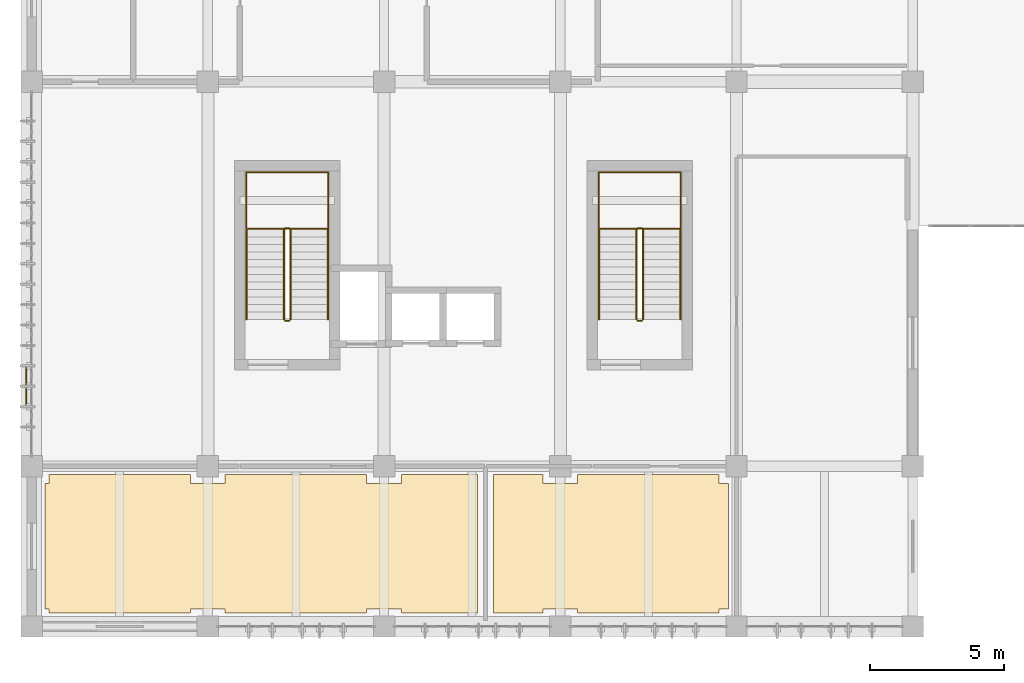
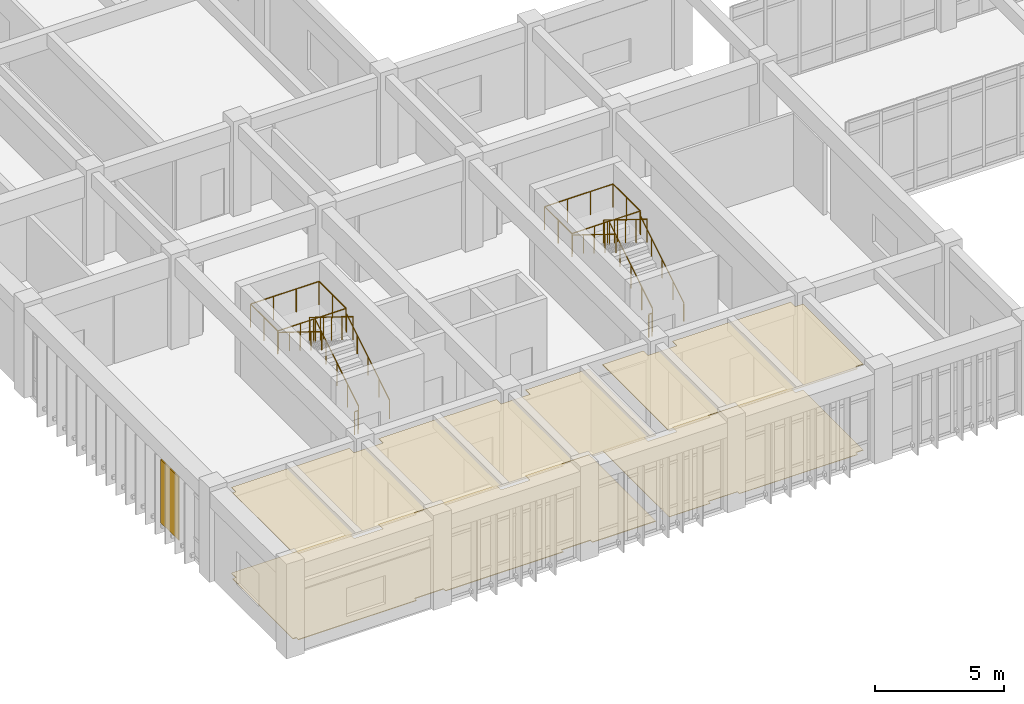
# One storey, part 50 of 54: 16 railings, 5 coverings.
"""IFC4 building model written with IfcOpenShell, lengths in metres."""

from ifc_helpers import new_model, si_unit, direction, frame, origin, origin_2d, place, context, subcontext, project, spatial, polyline, rectangle, circle, outline, extrude, material, layer, layer_set, type_object, element, save


model = new_model("IFC4")

# Units and contexts
model_context = context("Model", 3, precision=1e-05, world=origin(), true_north=direction((0.0, 1.0)))
body_context = subcontext(model_context, "Body", "Model", "MODEL_VIEW")
ifc_project = project(units=[si_unit("LENGTHUNIT", "METRE"), si_unit("AREAUNIT", "SQUARE_METRE"), si_unit("VOLUMEUNIT", "CUBIC_METRE"), si_unit("PLANEANGLEUNIT", "RADIAN"), si_unit("MASSUNIT", "GRAM", prefix="KILO")], contexts=[model_context])

# Site, building, storey
site_placement = place(None, origin())
site = spatial("IfcSite", under=ifc_project, at=site_placement, CompositionType="ELEMENT")
building_placement = place(site_placement, origin())
building = spatial("IfcBuilding", under=site, at=building_placement, Name="Miralva Faculty of Natural Sciences", CompositionType="ELEMENT")
storey_placement = place(building_placement, frame((0.0, 0.0, 19.5)))
storey = spatial("IfcBuildingStorey", under=building, at=storey_placement, Name="L04", CompositionType="ELEMENT", Elevation=19.5)

# Coverings
ifc_material_1 = material(Name="Volcanic tuff architectural stone", Category="masonry")
ifc_layer_1 = layer(ifc_material_1, 0.044921875, Name="COV-CD01")
ifc_layer_set_1 = layer_set([ifc_layer_1], Name="Volcanic tuff architectural stone")
covering_type_1 = type_object("IfcCoveringType", Name="COV-CD01", PredefinedType="CLADDING", material=ifc_layer_set_1)
covering_1_placement = place(storey_placement, frame((2.800048828125, 12.0, 0.300048828125), z_axis=(0.0, 0.0, 1.0), x_axis=(1.0, 0.0, 0.0)))
element("IfcCovering", 1, at=covering_1_placement, inside=storey, type_object=covering_type_1, Name="Volcanic tuff stone corner fascia cladding L04", PredefinedType="CLADDING", context=body_context, shape_type="SweptSolid", body=[
    extrude(rectangle(XDim=0.044921875, YDim=1.39990234375, at=origin_2d()), origin(), (0.0, 0.0, 1.0), 3.0),
])
ifc_material_2 = material(Name="Acoustic mineral-fibre board")
ifc_layer_2 = layer(ifc_material_2, 0.02197265625, Name="COV-CL01")
ifc_layer_set_2 = layer_set([ifc_layer_2], Name="Acoustic mineral-fibre board")
covering_type_2 = type_object("IfcCoveringType", Name="COV-CL01", PredefinedType="CEILING", material=ifc_layer_set_2)
covering_2_placement = place(storey_placement, frame((0.0, 0.0, 4.077880859375)))
element("IfcCovering", 2, at=covering_2_placement, inside=storey, type_object=covering_type_2, Name="Suspended acoustic ceiling L04-01", PredefinedType="CEILING", context=body_context, shape_type="SweptSolid", body=[
    extrude(outline(polyline([(10.25, 3.64990234375), (8.949951171875, 3.64990234375), (8.949951171875, 3.5), (3.64990234375, 3.5), (3.64990234375, 3.64990234375), (3.5, 3.64990234375), (3.5, 8.35009765625), (3.64990234375, 8.35009765625), (3.64990234375, 8.699951171875), (8.949951171875, 8.699951171875), (8.949951171875, 8.35009765625), (10.25, 8.35009765625), (10.25, 8.699951171875), (15.550048828125, 8.699951171875), (15.550048828125, 8.35009765625), (16.85009765625, 8.35009765625), (16.85009765625, 8.699951171875), (19.699951171875, 8.699951171875), (19.699951171875, 3.5), (16.85009765625, 3.5), (16.85009765625, 3.64990234375), (15.550048828125, 3.64990234375), (15.550048828125, 3.5), (10.25, 3.5), (10.25, 3.64990234375)])), origin(), (0.0, 0.0, 1.0), 0.022216796875),
])
ifc_material_3 = material(Name="Gypsum plasterboard")
ifc_layer_3 = layer(ifc_material_3, 0.028076171875, Name="COV-CL02")
ifc_layer_set_3 = layer_set([ifc_layer_3], Name="Gypsum plasterboard")
covering_type_3 = type_object("IfcCoveringType", Name="COV-CL02", PredefinedType="CEILING", material=ifc_layer_set_3)
covering_3_placement = place(storey_placement, frame((0.0, 0.0, 4.072021484375)))
element("IfcCovering", 3, at=covering_3_placement, inside=storey, type_object=covering_type_3, Name="Suspended acoustic ceiling L04-02", PredefinedType="CEILING", context=body_context, shape_type="SweptSolid", body=[
    extrude(outline(polyline([(23.449951171875, 3.64990234375), (22.14990234375, 3.64990234375), (22.14990234375, 3.5), (20.300048828125, 3.5), (20.300048828125, 8.699951171875), (22.14990234375, 8.699951171875), (22.14990234375, 8.35009765625), (23.449951171875, 8.35009765625), (23.449951171875, 8.699951171875), (28.75, 8.699951171875), (28.75, 8.35009765625), (29.10009765625, 8.35009765625), (29.10009765625, 3.64990234375), (28.75, 3.64990234375), (28.75, 3.5), (23.449951171875, 3.5), (23.449951171875, 3.64990234375)])), origin(), (0.0, 0.0, 1.0), 0.028076171875),
])
ifc_material_4 = material(Name="Polished terrazzo flooring")
ifc_layer_4 = layer(ifc_material_4, 0.030029296875, Name="COV-FL01")
ifc_layer_set_4 = layer_set([ifc_layer_4], Name="Polished terrazzo flooring")
covering_type_4 = type_object("IfcCoveringType", Name="COV-FL01", PredefinedType="FLOORING", material=ifc_layer_set_4)
covering_4_placement = place(storey_placement, origin())
element("IfcCovering", 4, at=covering_4_placement, inside=storey, type_object=covering_type_4, Name="Finished flooring L04-01", PredefinedType="FLOORING", context=body_context, shape_type="SweptSolid", body=[
    extrude(outline(polyline([(10.25, 3.64990234375), (8.949951171875, 3.64990234375), (8.949951171875, 3.5), (3.64990234375, 3.5), (3.64990234375, 3.64990234375), (3.5, 3.64990234375), (3.5, 8.35009765625), (3.64990234375, 8.35009765625), (3.64990234375, 8.699951171875), (8.949951171875, 8.699951171875), (8.949951171875, 8.35009765625), (10.25, 8.35009765625), (10.25, 8.699951171875), (15.550048828125, 8.699951171875), (15.550048828125, 8.35009765625), (16.85009765625, 8.35009765625), (16.85009765625, 8.699951171875), (19.699951171875, 8.699951171875), (19.699951171875, 3.5), (16.85009765625, 3.5), (16.85009765625, 3.64990234375), (15.550048828125, 3.64990234375), (15.550048828125, 3.5), (10.25, 3.5), (10.25, 3.64990234375)])), origin(), (0.0, 0.0, 1.0), 0.030029296875),
])
ifc_layer_5 = layer(ifc_material_4, 0.01806640625, Name="COV-FL02")
ifc_layer_set_5 = layer_set([ifc_layer_5], Name="Polished terrazzo flooring")
covering_type_5 = type_object("IfcCoveringType", Name="COV-FL02", PredefinedType="FLOORING", material=ifc_layer_set_5)
covering_5_placement = place(storey_placement, origin())
element("IfcCovering", 5, at=covering_5_placement, inside=storey, type_object=covering_type_5, Name="Finished flooring L04-02", PredefinedType="FLOORING", context=body_context, shape_type="SweptSolid", body=[
    extrude(outline(polyline([(23.449951171875, 3.64990234375), (22.14990234375, 3.64990234375), (22.14990234375, 3.5), (20.300048828125, 3.5), (20.300048828125, 8.699951171875), (22.14990234375, 8.699951171875), (22.14990234375, 8.35009765625), (23.449951171875, 8.35009765625), (23.449951171875, 8.699951171875), (28.75, 8.699951171875), (28.75, 8.35009765625), (29.10009765625, 8.35009765625), (29.10009765625, 3.64990234375), (28.75, 3.64990234375), (28.75, 3.5), (23.449951171875, 3.5), (23.449951171875, 3.64990234375)])), origin(), (0.0, 0.0, 1.0), 0.01806640625),
])

# Railings
ifc_material_5 = material(Name="Steel S355", Category="steel")
railing_type_1 = type_object("IfcRailingType", Name="RL-GR01", PredefinedType="GUARDRAIL", material=ifc_material_5)
railing_1_placement = place(storey_placement, frame((12.699951171875, 14.5, 0.173095703125)))
element("IfcRailing", 6, at=railing_1_placement, inside=storey, type_object=railing_type_1, Name="Stair Core C1 safety guard L04-1", PredefinedType="GUARDRAIL", context=body_context, shape_type="SweptSolid", body=[
    extrude(circle(Radius=0.02392578125, at=origin_2d()), frame((0.0, 0.0, 1.09619140625), z_axis=(0.0, 0.850623216509, 0.525775754039), x_axis=(-1.0, 0.0, 0.0)), (0.0, 0.0, 1.0), 3.9501953125),
    extrude(circle(Radius=0.02099609375, at=origin_2d()), origin(), (0.0, 0.0, 1.0), 1.072021484375),
    extrude(circle(Radius=0.02099609375, at=origin_2d()), frame((0.0, 0.840087890625, 0.519287109375)), (0.0, 0.0, 1.0), 1.072021484375),
    extrude(circle(Radius=0.02099609375, at=origin_2d()), frame((0.0, 1.68017578125, 1.03857421875)), (0.0, 0.0, 1.0), 1.072021484375),
    extrude(circle(Radius=0.02099609375, at=origin_2d()), frame((0.0, 2.52001953125, 1.5576171875)), (0.0, 0.0, 1.0), 1.072021484375),
    extrude(circle(Radius=0.02099609375, at=origin_2d()), frame((0.0, 3.360107421875, 2.076904296875)), (0.0, 0.0, 1.0), 1.072021484375),
])
railing_2_placement = place(storey_placement, frame((12.64990234375, 17.909912109375, 2.25)))
element("IfcRailing", 7, at=railing_2_placement, inside=storey, type_object=railing_type_1, Name="Stair Core C1 safety guard L04-2", PredefinedType="GUARDRAIL", context=body_context, shape_type="SweptSolid", body=[
    extrude(circle(Radius=0.02392578125, at=origin_2d()), frame((0.0, 0.0, 1.09619140625), z_axis=(-1.0, 0.0, 0.0), x_axis=(0.0, -1.0, 0.0)), (0.0, 0.0, 1.0), 0.14990234375),
    extrude(circle(Radius=0.02099609375, at=origin_2d()), origin(), (0.0, 0.0, 1.0), 1.072021484375),
    extrude(circle(Radius=0.02099609375, at=origin_2d()), frame((-0.14990234375, 0.0, 0.0)), (0.0, 0.0, 1.0), 1.072021484375),
])
railing_3_placement = place(storey_placement, frame((12.449951171875, 17.860107421875, 2.423095703125)))
element("IfcRailing", 8, at=railing_3_placement, inside=storey, type_object=railing_type_1, Name="Stair Core C1 safety guard L04-3", PredefinedType="GUARDRAIL", context=body_context, shape_type="SweptSolid", body=[
    extrude(circle(Radius=0.02392578125, at=origin_2d()), frame((0.0, 0.0, 1.09619140625), z_axis=(0.0, -0.850623216509, 0.525775754039), x_axis=(1.0, 0.0, 0.0)), (0.0, 0.0, 1.0), 3.9501953125),
    extrude(circle(Radius=0.02099609375, at=origin_2d()), origin(), (0.0, 0.0, 1.0), 1.072021484375),
    extrude(circle(Radius=0.02099609375, at=origin_2d()), frame((0.0, -0.840087890625, 0.519287109375)), (0.0, 0.0, 1.0), 1.072021484375),
    extrude(circle(Radius=0.02099609375, at=origin_2d()), frame((0.0, -1.68017578125, 1.03857421875)), (0.0, 0.0, 1.0), 1.072021484375),
    extrude(circle(Radius=0.02099609375, at=origin_2d()), frame((0.0, -2.52001953125, 1.5576171875)), (0.0, 0.0, 1.0), 1.072021484375),
    extrude(circle(Radius=0.02099609375, at=origin_2d()), frame((0.0, -3.360107421875, 2.076904296875)), (0.0, 0.0, 1.0), 1.072021484375),
])
railing_4_placement = place(storey_placement, frame((12.64990234375, 14.449951171875, 0.0)))
element("IfcRailing", 9, at=railing_4_placement, inside=storey, type_object=railing_type_1, Name="Stair Core C1 safety guard L04-4", PredefinedType="GUARDRAIL", context=body_context, shape_type="SweptSolid", body=[
    extrude(circle(Radius=0.02392578125, at=origin_2d()), frame((0.0, 0.0, 1.09619140625), z_axis=(-1.0, 0.0, 0.0), x_axis=(0.0, -1.0, 0.0)), (0.0, 0.0, 1.0), 0.14990234375),
    extrude(circle(Radius=0.02099609375, at=origin_2d()), origin(), (0.0, 0.0, 1.0), 1.072021484375),
    extrude(circle(Radius=0.02099609375, at=origin_2d()), frame((-0.14990234375, 0.0, 0.0)), (0.0, 0.0, 1.0), 1.072021484375),
])
railing_5_placement = place(storey_placement, frame((11.0400390625, 17.89990234375, 2.25)))
element("IfcRailing", 10, at=railing_5_placement, inside=storey, type_object=railing_type_1, Name="Stair Core C1 half-landing guard L04-1A", PredefinedType="GUARDRAIL", context=body_context, shape_type="SweptSolid", body=[
    extrude(circle(Radius=0.02392578125, at=origin_2d()), frame((0.0, 0.0, 1.09619140625), z_axis=(0.0, 1.0, 0.0), x_axis=(-1.0, 0.0, 0.0)), (0.0, 0.0, 1.0), 2.110107421875),
    extrude(circle(Radius=0.02392578125, at=origin_2d()), frame((0.0, 2.110107421875, 1.09619140625), z_axis=(1.0, 0.0, 0.0), x_axis=(0.0, 1.0, 0.0)), (0.0, 0.0, 1.0), 3.070068359375),
    extrude(circle(Radius=0.02099609375, at=origin_2d()), origin(), (0.0, 0.0, 1.0), 1.072021484375),
    extrude(circle(Radius=0.02099609375, at=origin_2d()), frame((0.0, 1.05517578125, 0.0)), (0.0, 0.0, 1.0), 1.072021484375),
    extrude(circle(Radius=0.02099609375, at=origin_2d()), frame((0.0, 2.110107421875, 0.0)), (0.0, 0.0, 1.0), 1.072021484375),
    extrude(circle(Radius=0.02099609375, at=origin_2d()), frame((1.0234375, 2.110107421875, 0.0)), (0.0, 0.0, 1.0), 1.072021484375),
    extrude(circle(Radius=0.02099609375, at=origin_2d()), frame((2.046630859375, 2.110107421875, 0.0)), (0.0, 0.0, 1.0), 1.072021484375),
    extrude(circle(Radius=0.02099609375, at=origin_2d()), frame((3.070068359375, 2.110107421875, 0.0)), (0.0, 0.0, 1.0), 1.072021484375),
])
railing_6_placement = place(storey_placement, frame((14.110107421875, 20.010009765625, 2.25)))
element("IfcRailing", 11, at=railing_6_placement, inside=storey, type_object=railing_type_1, Name="Stair Core C1 half-landing guard L04-1B", PredefinedType="GUARDRAIL", context=body_context, shape_type="SweptSolid", body=[
    extrude(circle(Radius=0.02392578125, at=origin_2d()), frame((0.0, 0.0, 1.09619140625), z_axis=(0.0, -1.0, 0.0), x_axis=(1.0, 0.0, 0.0)), (0.0, 0.0, 1.0), 2.110107421875),
    extrude(circle(Radius=0.02392578125, at=origin_2d()), frame((0.0, -2.110107421875, 1.09619140625), z_axis=(-1.0, 0.0, 0.0), x_axis=(0.0, -1.0, 0.0)), (0.0, 0.0, 1.0), 3.070068359375),
    extrude(circle(Radius=0.02099609375, at=origin_2d()), origin(), (0.0, 0.0, 1.0), 1.072021484375),
    extrude(circle(Radius=0.02099609375, at=origin_2d()), frame((0.0, -1.05517578125, 0.0)), (0.0, 0.0, 1.0), 1.072021484375),
    extrude(circle(Radius=0.02099609375, at=origin_2d()), frame((0.0, -2.110107421875, 0.0)), (0.0, 0.0, 1.0), 1.072021484375),
    extrude(circle(Radius=0.02099609375, at=origin_2d()), frame((-1.0234375, -2.110107421875, 0.0)), (0.0, 0.0, 1.0), 1.072021484375),
    extrude(circle(Radius=0.02099609375, at=origin_2d()), frame((-2.046630859375, -2.110107421875, 0.0)), (0.0, 0.0, 1.0), 1.072021484375),
    extrude(circle(Radius=0.02099609375, at=origin_2d()), frame((-3.070068359375, -2.110107421875, 0.0)), (0.0, 0.0, 1.0), 1.072021484375),
])
railing_7_placement = place(storey_placement, frame((25.89990234375, 14.5, 0.173095703125)))
element("IfcRailing", 12, at=railing_7_placement, inside=storey, type_object=railing_type_1, Name="Stair Core C1B safety guard L04-1", PredefinedType="GUARDRAIL", context=body_context, shape_type="SweptSolid", body=[
    extrude(circle(Radius=0.02392578125, at=origin_2d()), frame((0.0, 0.0, 1.09619140625), z_axis=(0.0, 0.850623216509, 0.525775754039), x_axis=(-1.0, 0.0, 0.0)), (0.0, 0.0, 1.0), 3.9501953125),
    extrude(circle(Radius=0.02099609375, at=origin_2d()), origin(), (0.0, 0.0, 1.0), 1.072021484375),
    extrude(circle(Radius=0.02099609375, at=origin_2d()), frame((0.0, 0.840087890625, 0.519287109375)), (0.0, 0.0, 1.0), 1.072021484375),
    extrude(circle(Radius=0.02099609375, at=origin_2d()), frame((0.0, 1.68017578125, 1.03857421875)), (0.0, 0.0, 1.0), 1.072021484375),
    extrude(circle(Radius=0.02099609375, at=origin_2d()), frame((0.0, 2.52001953125, 1.5576171875)), (0.0, 0.0, 1.0), 1.072021484375),
    extrude(circle(Radius=0.02099609375, at=origin_2d()), frame((0.0, 3.360107421875, 2.076904296875)), (0.0, 0.0, 1.0), 1.072021484375),
])
railing_8_placement = place(storey_placement, frame((25.85009765625, 17.909912109375, 2.25)))
element("IfcRailing", 13, at=railing_8_placement, inside=storey, type_object=railing_type_1, Name="Stair Core C1B safety guard L04-2", PredefinedType="GUARDRAIL", context=body_context, shape_type="SweptSolid", body=[
    extrude(circle(Radius=0.02392578125, at=origin_2d()), frame((0.0, 0.0, 1.09619140625), z_axis=(-1.0, 0.0, 0.0), x_axis=(0.0, -1.0, 0.0)), (0.0, 0.0, 1.0), 0.150146484375),
    extrude(circle(Radius=0.02099609375, at=origin_2d()), origin(), (0.0, 0.0, 1.0), 1.072021484375),
    extrude(circle(Radius=0.02099609375, at=origin_2d()), frame((-0.150146484375, 0.0, 0.0)), (0.0, 0.0, 1.0), 1.072021484375),
])
railing_9_placement = place(storey_placement, frame((25.64990234375, 17.860107421875, 2.423095703125)))
element("IfcRailing", 14, at=railing_9_placement, inside=storey, type_object=railing_type_1, Name="Stair Core C1B safety guard L04-3", PredefinedType="GUARDRAIL", context=body_context, shape_type="SweptSolid", body=[
    extrude(circle(Radius=0.02392578125, at=origin_2d()), frame((0.0, 0.0, 1.09619140625), z_axis=(0.0, -0.850623216509, 0.525775754039), x_axis=(1.0, 0.0, 0.0)), (0.0, 0.0, 1.0), 3.9501953125),
    extrude(circle(Radius=0.02099609375, at=origin_2d()), origin(), (0.0, 0.0, 1.0), 1.072021484375),
    extrude(circle(Radius=0.02099609375, at=origin_2d()), frame((0.0, -0.840087890625, 0.519287109375)), (0.0, 0.0, 1.0), 1.072021484375),
    extrude(circle(Radius=0.02099609375, at=origin_2d()), frame((0.0, -1.68017578125, 1.03857421875)), (0.0, 0.0, 1.0), 1.072021484375),
    extrude(circle(Radius=0.02099609375, at=origin_2d()), frame((0.0, -2.52001953125, 1.5576171875)), (0.0, 0.0, 1.0), 1.072021484375),
    extrude(circle(Radius=0.02099609375, at=origin_2d()), frame((0.0, -3.360107421875, 2.076904296875)), (0.0, 0.0, 1.0), 1.072021484375),
])
railing_10_placement = place(storey_placement, frame((25.85009765625, 14.449951171875, 0.0)))
element("IfcRailing", 15, at=railing_10_placement, inside=storey, type_object=railing_type_1, Name="Stair Core C1B safety guard L04-4", PredefinedType="GUARDRAIL", context=body_context, shape_type="SweptSolid", body=[
    extrude(circle(Radius=0.02392578125, at=origin_2d()), frame((0.0, 0.0, 1.09619140625), z_axis=(-1.0, 0.0, 0.0), x_axis=(0.0, -1.0, 0.0)), (0.0, 0.0, 1.0), 0.150146484375),
    extrude(circle(Radius=0.02099609375, at=origin_2d()), origin(), (0.0, 0.0, 1.0), 1.072021484375),
    extrude(circle(Radius=0.02099609375, at=origin_2d()), frame((-0.150146484375, 0.0, 0.0)), (0.0, 0.0, 1.0), 1.072021484375),
])
railing_11_placement = place(storey_placement, frame((24.239990234375, 17.89990234375, 2.25)))
element("IfcRailing", 16, at=railing_11_placement, inside=storey, type_object=railing_type_1, Name="Stair Core C1B half-landing guard L04-1A", PredefinedType="GUARDRAIL", context=body_context, shape_type="SweptSolid", body=[
    extrude(circle(Radius=0.02392578125, at=origin_2d()), frame((0.0, 0.0, 1.09619140625), z_axis=(0.0, 1.0, 0.0), x_axis=(-1.0, 0.0, 0.0)), (0.0, 0.0, 1.0), 2.110107421875),
    extrude(circle(Radius=0.02392578125, at=origin_2d()), frame((0.0, 2.110107421875, 1.09619140625), z_axis=(1.0, 0.0, 0.0), x_axis=(0.0, 1.0, 0.0)), (0.0, 0.0, 1.0), 3.070068359375),
    extrude(circle(Radius=0.02099609375, at=origin_2d()), origin(), (0.0, 0.0, 1.0), 1.072021484375),
    extrude(circle(Radius=0.02099609375, at=origin_2d()), frame((0.0, 1.05517578125, 0.0)), (0.0, 0.0, 1.0), 1.072021484375),
    extrude(circle(Radius=0.02099609375, at=origin_2d()), frame((0.0, 2.110107421875, 0.0)), (0.0, 0.0, 1.0), 1.072021484375),
    extrude(circle(Radius=0.02099609375, at=origin_2d()), frame((1.0234375, 2.110107421875, 0.0)), (0.0, 0.0, 1.0), 1.072021484375),
    extrude(circle(Radius=0.02099609375, at=origin_2d()), frame((2.046630859375, 2.110107421875, 0.0)), (0.0, 0.0, 1.0), 1.072021484375),
    extrude(circle(Radius=0.02099609375, at=origin_2d()), frame((3.070068359375, 2.110107421875, 0.0)), (0.0, 0.0, 1.0), 1.072021484375),
])
railing_12_placement = place(storey_placement, frame((27.31005859375, 20.010009765625, 2.25)))
element("IfcRailing", 17, at=railing_12_placement, inside=storey, type_object=railing_type_1, Name="Stair Core C1B half-landing guard L04-1B", PredefinedType="GUARDRAIL", context=body_context, shape_type="SweptSolid", body=[
    extrude(circle(Radius=0.02392578125, at=origin_2d()), frame((0.0, 0.0, 1.09619140625), z_axis=(0.0, -1.0, 0.0), x_axis=(1.0, 0.0, 0.0)), (0.0, 0.0, 1.0), 2.110107421875),
    extrude(circle(Radius=0.02392578125, at=origin_2d()), frame((0.0, -2.110107421875, 1.09619140625), z_axis=(-1.0, 0.0, 0.0), x_axis=(0.0, -1.0, 0.0)), (0.0, 0.0, 1.0), 3.070068359375),
    extrude(circle(Radius=0.02099609375, at=origin_2d()), origin(), (0.0, 0.0, 1.0), 1.072021484375),
    extrude(circle(Radius=0.02099609375, at=origin_2d()), frame((0.0, -1.05517578125, 0.0)), (0.0, 0.0, 1.0), 1.072021484375),
    extrude(circle(Radius=0.02099609375, at=origin_2d()), frame((0.0, -2.110107421875, 0.0)), (0.0, 0.0, 1.0), 1.072021484375),
    extrude(circle(Radius=0.02099609375, at=origin_2d()), frame((-1.0234375, -2.110107421875, 0.0)), (0.0, 0.0, 1.0), 1.072021484375),
    extrude(circle(Radius=0.02099609375, at=origin_2d()), frame((-2.046630859375, -2.110107421875, 0.0)), (0.0, 0.0, 1.0), 1.072021484375),
    extrude(circle(Radius=0.02099609375, at=origin_2d()), frame((-3.070068359375, -2.110107421875, 0.0)), (0.0, 0.0, 1.0), 1.072021484375),
])
railing_type_2 = type_object("IfcRailingType", Name="RL-HR01", PredefinedType="HANDRAIL", material=ifc_material_5)
railing_13_placement = place(storey_placement, frame((14.10009765625, 14.5, 0.173095703125)))
element("IfcRailing", 18, at=railing_13_placement, inside=storey, type_object=railing_type_2, Name="Stair Core C1 handrail L04-1", PredefinedType="HANDRAIL", context=body_context, shape_type="SweptSolid", body=[
    extrude(circle(Radius=0.02392578125, at=origin_2d()), frame((0.0, 0.0, 0.8759765625), z_axis=(0.0, 0.850623216509, 0.525775754039), x_axis=(-1.0, 0.0, 0.0)), (0.0, 0.0, 1.0), 3.9501953125),
    extrude(circle(Radius=0.02099609375, at=origin_2d()), origin(), (0.0, 0.0, 1.0), 0.851806640625),
    extrude(circle(Radius=0.02099609375, at=origin_2d()), frame((0.0, 0.840087890625, 0.519287109375)), (0.0, 0.0, 1.0), 0.851806640625),
    extrude(circle(Radius=0.02099609375, at=origin_2d()), frame((0.0, 1.68017578125, 1.03857421875)), (0.0, 0.0, 1.0), 0.851806640625),
    extrude(circle(Radius=0.02099609375, at=origin_2d()), frame((0.0, 2.52001953125, 1.5576171875)), (0.0, 0.0, 1.0), 0.851806640625),
    extrude(circle(Radius=0.02099609375, at=origin_2d()), frame((0.0, 3.360107421875, 2.076904296875)), (0.0, 0.0, 1.0), 0.851806640625),
])
railing_14_placement = place(storey_placement, frame((11.050048828125, 17.860107421875, 2.423095703125)))
element("IfcRailing", 19, at=railing_14_placement, inside=storey, type_object=railing_type_2, Name="Stair Core C1 handrail L04-2", PredefinedType="HANDRAIL", context=body_context, shape_type="SweptSolid", body=[
    extrude(circle(Radius=0.02392578125, at=origin_2d()), frame((0.0, 0.0, 0.8759765625), z_axis=(0.0, -0.850623216509, 0.525775754039), x_axis=(1.0, 0.0, 0.0)), (0.0, 0.0, 1.0), 3.9501953125),
    extrude(circle(Radius=0.02099609375, at=origin_2d()), origin(), (0.0, 0.0, 1.0), 0.851806640625),
    extrude(circle(Radius=0.02099609375, at=origin_2d()), frame((0.0, -0.840087890625, 0.519287109375)), (0.0, 0.0, 1.0), 0.851806640625),
    extrude(circle(Radius=0.02099609375, at=origin_2d()), frame((0.0, -1.68017578125, 1.03857421875)), (0.0, 0.0, 1.0), 0.851806640625),
    extrude(circle(Radius=0.02099609375, at=origin_2d()), frame((0.0, -2.52001953125, 1.5576171875)), (0.0, 0.0, 1.0), 0.851806640625),
    extrude(circle(Radius=0.02099609375, at=origin_2d()), frame((0.0, -3.360107421875, 2.076904296875)), (0.0, 0.0, 1.0), 0.851806640625),
])
railing_15_placement = place(storey_placement, frame((27.300048828125, 14.5, 0.173095703125)))
element("IfcRailing", 20, at=railing_15_placement, inside=storey, type_object=railing_type_2, Name="Stair Core C1B handrail L04-1", PredefinedType="HANDRAIL", context=body_context, shape_type="SweptSolid", body=[
    extrude(circle(Radius=0.02392578125, at=origin_2d()), frame((0.0, 0.0, 0.8759765625), z_axis=(0.0, 0.850623216509, 0.525775754039), x_axis=(-1.0, 0.0, 0.0)), (0.0, 0.0, 1.0), 3.9501953125),
    extrude(circle(Radius=0.02099609375, at=origin_2d()), origin(), (0.0, 0.0, 1.0), 0.851806640625),
    extrude(circle(Radius=0.02099609375, at=origin_2d()), frame((0.0, 0.840087890625, 0.519287109375)), (0.0, 0.0, 1.0), 0.851806640625),
    extrude(circle(Radius=0.02099609375, at=origin_2d()), frame((0.0, 1.68017578125, 1.03857421875)), (0.0, 0.0, 1.0), 0.851806640625),
    extrude(circle(Radius=0.02099609375, at=origin_2d()), frame((0.0, 2.52001953125, 1.5576171875)), (0.0, 0.0, 1.0), 0.851806640625),
    extrude(circle(Radius=0.02099609375, at=origin_2d()), frame((0.0, 3.360107421875, 2.076904296875)), (0.0, 0.0, 1.0), 0.851806640625),
])
railing_16_placement = place(storey_placement, frame((24.25, 17.860107421875, 2.423095703125)))
element("IfcRailing", 21, at=railing_16_placement, inside=storey, type_object=railing_type_2, Name="Stair Core C1B handrail L04-2", PredefinedType="HANDRAIL", context=body_context, shape_type="SweptSolid", body=[
    extrude(circle(Radius=0.02392578125, at=origin_2d()), frame((0.0, 0.0, 0.8759765625), z_axis=(0.0, -0.850623216509, 0.525775754039), x_axis=(1.0, 0.0, 0.0)), (0.0, 0.0, 1.0), 3.9501953125),
    extrude(circle(Radius=0.02099609375, at=origin_2d()), origin(), (0.0, 0.0, 1.0), 0.851806640625),
    extrude(circle(Radius=0.02099609375, at=origin_2d()), frame((0.0, -0.840087890625, 0.519287109375)), (0.0, 0.0, 1.0), 0.851806640625),
    extrude(circle(Radius=0.02099609375, at=origin_2d()), frame((0.0, -1.68017578125, 1.03857421875)), (0.0, 0.0, 1.0), 0.851806640625),
    extrude(circle(Radius=0.02099609375, at=origin_2d()), frame((0.0, -2.52001953125, 1.5576171875)), (0.0, 0.0, 1.0), 0.851806640625),
    extrude(circle(Radius=0.02099609375, at=origin_2d()), frame((0.0, -3.360107421875, 2.076904296875)), (0.0, 0.0, 1.0), 0.851806640625),
])

save(model, "model.ifc")
